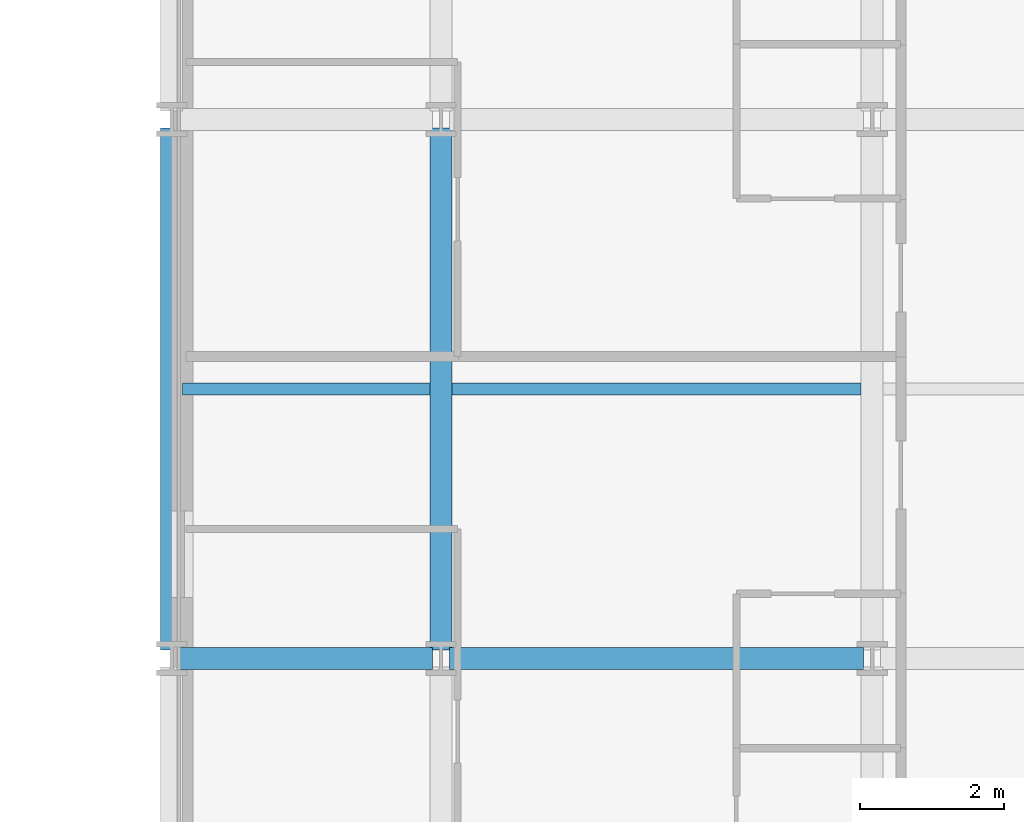
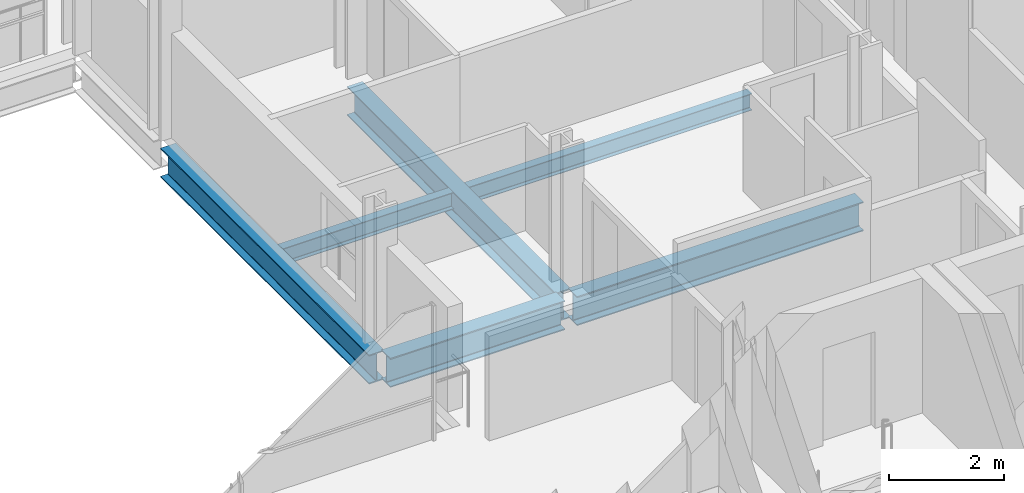
# One storey, part 16 of 40: 6 beams.
"""IFC4 building model written with IfcOpenShell, lengths in metres."""

from ifc_helpers import new_model, si_unit, direction, frame, origin, origin_2d, place, context, subcontext, project, spatial, i_section, extrude, material, material_profile, profile_set, type_object, element, save


model = new_model("IFC4")

# Units and contexts
model_context = context("Model", 3, precision=1e-05, world=origin(), true_north=direction((0.0, 1.0)))
body_context = subcontext(model_context, "Body", "Model", "MODEL_VIEW")
ifc_project = project(units=[si_unit("LENGTHUNIT", "METRE"), si_unit("AREAUNIT", "SQUARE_METRE"), si_unit("VOLUMEUNIT", "CUBIC_METRE"), si_unit("PLANEANGLEUNIT", "RADIAN"), si_unit("MASSUNIT", "GRAM", prefix="KILO")], contexts=[model_context])

# Site, building, storey
site_placement = place(None, origin())
site = spatial("IfcSite", under=ifc_project, at=site_placement, CompositionType="ELEMENT")
building_placement = place(site_placement, origin())
building = spatial("IfcBuilding", under=site, at=building_placement, Name="Brevholm Reach", CompositionType="ELEMENT")
storey_placement = place(building_placement, frame((0.0, 0.0, 31.10009765625)))
storey = spatial("IfcBuildingStorey", under=building, at=storey_placement, Name="L07", CompositionType="ELEMENT", Elevation=31.10009765625)

# Beams
ifc_material_1 = material(Name="Structural Steel S355J2", Category="steel")
ifc_material_profile_1 = material_profile(ifc_material_1, i_section(OverallWidth=0.17138671875, OverallDepth=0.35498046875, WebThickness=0.00732421875, FlangeThickness=0.011474609375, FilletRadius=0.01025390625, at=origin_2d()), Name="UKB 356x171x51")
ifc_profile_set_1 = profile_set([ifc_material_profile_1], Name="Structural Steel S355J2")
beam_type_1 = type_object("IfcBeamType", Name="BM-B356", PredefinedType="BEAM", material=ifc_profile_set_1)
beam_1_placement = place(storey_placement, frame((38.403564453125, 19.75, -0.40771484375), z_axis=(1.0, 0.0, 0.0), x_axis=(0.0, 1.0, 0.0)))
element("IfcBeam", 1, at=beam_1_placement, inside=storey, type_object=beam_type_1, Name="L07 Composite Secondary Floor Beam", PredefinedType="BEAM", context=body_context, shape_type="SweptSolid", body=[
    extrude(i_section(OverallWidth=0.17138671875, OverallDepth=0.35498046875, WebThickness=0.00732421875, FlangeThickness=0.011474609375, FilletRadius=0.01025390625, at=origin_2d()), origin(), (0.0, 0.0, 1.0), 3.44287109375),
])
beam_2_placement = place(storey_placement, frame((42.153564453125, 19.75, -0.40771484375), z_axis=(1.0, 0.0, 0.0), x_axis=(0.0, 1.0, 0.0)))
element("IfcBeam", 2, at=beam_2_placement, inside=storey, type_object=beam_type_1, Name="L07 Composite Secondary Floor Beam", PredefinedType="BEAM", context=body_context, shape_type="SweptSolid", body=[
    extrude(i_section(OverallWidth=0.17138671875, OverallDepth=0.35498046875, WebThickness=0.00732421875, FlangeThickness=0.011474609375, FilletRadius=0.01025390625, at=origin_2d()), origin(), (0.0, 0.0, 1.0), 5.69287109375),
])
ifc_material_2 = material(Name="Structural Steel S355J2", Category="steel")
ifc_material_profile_2 = material_profile(ifc_material_2, i_section(OverallWidth=0.30712890625, OverallDepth=0.6201171875, WebThickness=0.01416015625, FlangeThickness=0.023681640625, FilletRadius=0.0166015625, at=origin_2d()), Name="UKB 610x305x179")
ifc_profile_set_2 = profile_set([ifc_material_profile_2], Name="Structural Steel S355J2")
beam_type_2 = type_object("IfcBeamType", Name="BM-UKB610H", PredefinedType="USERDEFINED", material=ifc_profile_set_2)
beam_3_placement = place(storey_placement, frame((38.3701171875, 16.0, -0.540283203125), z_axis=(1.0, 0.0, 0.0), x_axis=(0.0, 1.0, 0.0)))
element("IfcBeam", 3, at=beam_3_placement, inside=storey, type_object=beam_type_2, Name="L07 G-06 Framing Beam", ObjectType="GIRDER", PredefinedType="USERDEFINED", context=body_context, shape_type="SweptSolid", body=[
    extrude(i_section(OverallWidth=0.30712890625, OverallDepth=0.6201171875, WebThickness=0.01416015625, FlangeThickness=0.023681640625, FilletRadius=0.0166015625, at=origin_2d()), origin(), (0.0, 0.0, 1.0), 3.509765625),
])
beam_4_placement = place(storey_placement, frame((42.1201171875, 16.0, -0.540283203125), z_axis=(1.0, 0.0, 0.0), x_axis=(0.0, 1.0, 0.0)))
element("IfcBeam", 4, at=beam_4_placement, inside=storey, type_object=beam_type_2, Name="L07 G-06 Framing Beam", ObjectType="GIRDER", PredefinedType="USERDEFINED", context=body_context, shape_type="SweptSolid", body=[
    extrude(i_section(OverallWidth=0.30712890625, OverallDepth=0.6201171875, WebThickness=0.01416015625, FlangeThickness=0.023681640625, FilletRadius=0.0166015625, at=origin_2d()), origin(), (0.0, 0.0, 1.0), 5.759765625),
])
for number, where, z_axis, x_axis, name in (
    (5, (38.25, 16.1201171875, -0.540283203125), (0.0, 1.0, 0.0), (-1.0, 0.0, 0.0), "L07 G-06 Framing Beam"),
    (6, (42.0, 16.1201171875, -0.540283203125), (0.0, 1.0, 0.0), (-1.0, 0.0, 0.0), "L07 G-06 Framing Beam"),
):
    element("IfcBeam", number, at=place(storey_placement, frame(where, z_axis=z_axis, x_axis=x_axis)), inside=storey, type_object=beam_type_2, Name=name, ObjectType="GIRDER", PredefinedType="USERDEFINED", context=body_context, shape_type="SweptSolid", body=[
        extrude(i_section(OverallWidth=0.30712890625, OverallDepth=0.6201171875, WebThickness=0.01416015625, FlangeThickness=0.023681640625, FilletRadius=0.0166015625, at=origin_2d()), origin(), (0.0, 0.0, 1.0), 7.259765625),
    ])

save(model, "model.ifc")
